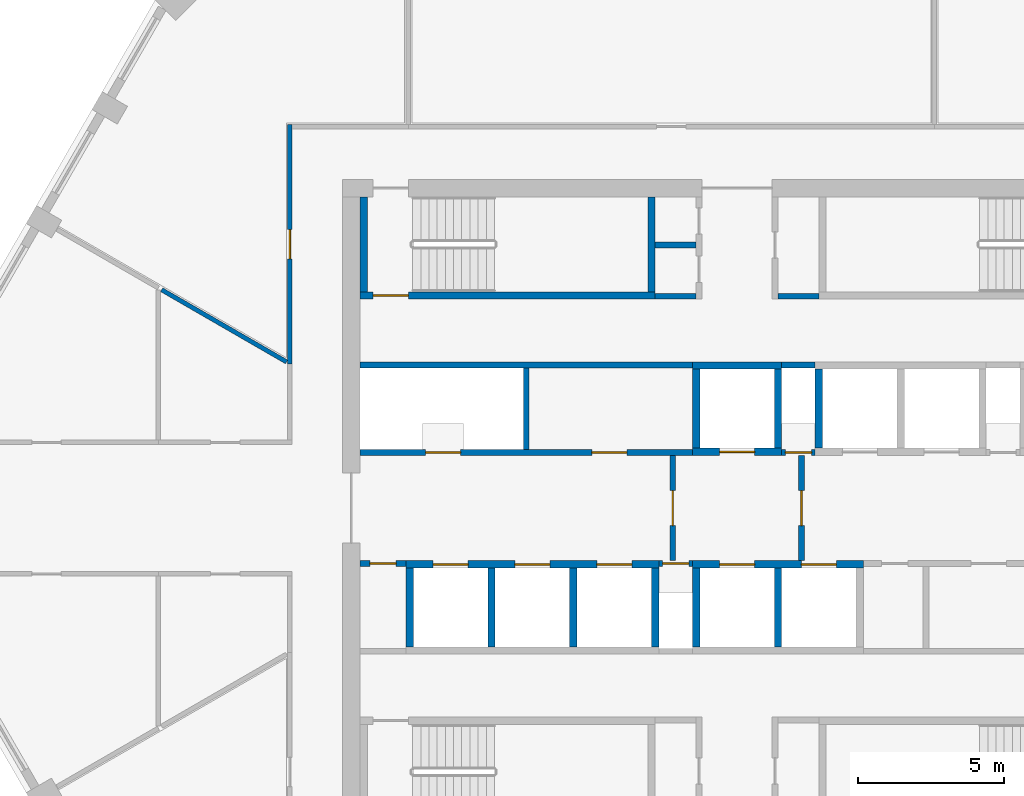
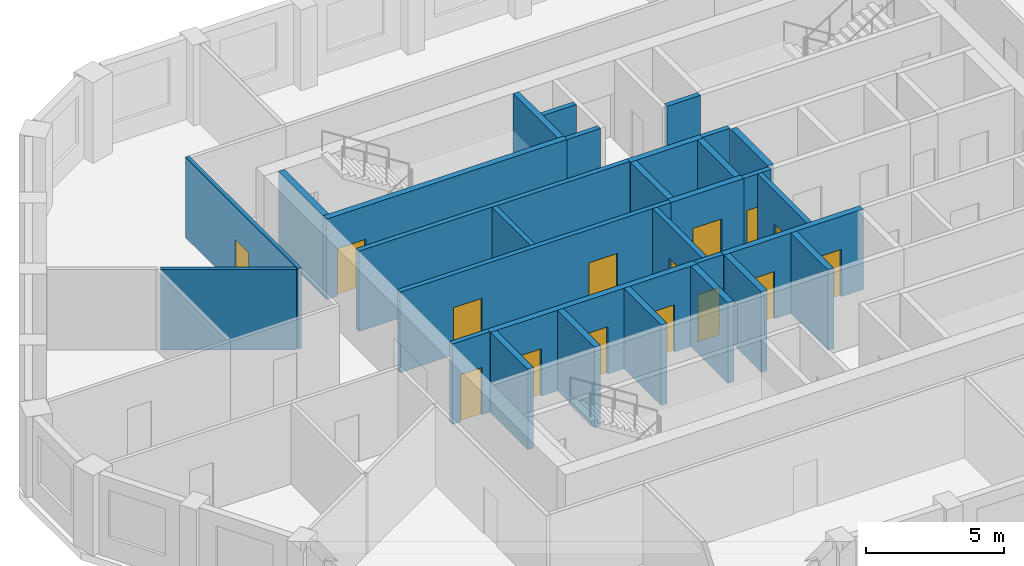
# One storey, part 3 of 11: 30 walls, 15 doors, 15 openings.
"""IFC4 building model written with IfcOpenShell, lengths in metres."""

from ifc_helpers import new_model, si_unit, direction, frame, frame_2d, origin, place, context, subcontext, project, spatial, polyline, rectangle, outline, extrude, material, layer, layer_set, type_object, element, fill, save


model = new_model("IFC4")

# Units and contexts
model_context = context("Model", 3, precision=1e-05, world=origin(), true_north=direction((0.0, 1.0)))
body_context = subcontext(model_context, "Body", "Model", "MODEL_VIEW")
ifc_project = project(units=[si_unit("LENGTHUNIT", "METRE"), si_unit("AREAUNIT", "SQUARE_METRE"), si_unit("VOLUMEUNIT", "CUBIC_METRE"), si_unit("PLANEANGLEUNIT", "RADIAN"), si_unit("MASSUNIT", "GRAM", prefix="KILO")], contexts=[model_context])

# Site, building, storey
site_placement = place(None, origin())
site = spatial("IfcSite", under=ifc_project, at=site_placement, CompositionType="ELEMENT")
building_placement = place(site_placement, origin())
building = spatial("IfcBuilding", under=site, at=building_placement, Name="Dhurran Vertical Campus", CompositionType="ELEMENT")
storey_placement = place(building_placement, frame((0.0, 0.0, 274.199951171875)))
storey = spatial("IfcBuildingStorey", under=building, at=storey_placement, Name="L68", CompositionType="ELEMENT", Elevation=274.199951171875)

# Wall, opening, door
ifc_material_1 = material(Name="Fire-rated masonry blockwork", Category="masonry")
ifc_layer_1 = layer(ifc_material_1, 0.199951171875)
ifc_layer_set_1 = layer_set([ifc_layer_1], Name="Fire-rated masonry blockwork")
wall_type_1 = type_object("IfcWallType", Name="co-FIRE-PARTITION-200", PredefinedType="PARTITIONING", material=ifc_layer_set_1)
wall_1_placement = place(storey_placement, frame((-2.199951171875, -1.800048828125, 0.0), z_axis=(0.0, 0.0, 1.0), x_axis=(0.0, 1.0, 0.0)))
wall_1 = element("IfcWall", 1, at=wall_1_placement, inside=storey, type_object=wall_type_1, Name="Firefighting lobby wall W L68", PredefinedType="PARTITIONING", context=body_context, shape_type="SweptSolid", body=[
    extrude(rectangle(XDim=3.60009765625, YDim=0.199951171875, at=frame_2d((1.800048828125, 0.0))), origin(), (0.0, 0.0, 1.0), 3.574951171875),
])
opening_1_placement = place(wall_1_placement, frame((1.199951171875, 0.0, 0.0)))
opening_1 = element("IfcOpeningElement", 2, at=opening_1_placement, cuts=wall_1, Name="Opening FL1", PredefinedType="OPENING", context=body_context, shape_type="SweptSolid", body=[
    extrude(rectangle(XDim=1.199951171875, YDim=2.10009765625, at=frame_2d((0.60009765625, 1.050048828125))), frame((0.0, 0.10986328125, 0.0), z_axis=(0.0, -1.0, 0.0), x_axis=(1.0, 0.0, 0.0)), (0.0, 0.0, 1.0), 0.219970703125),
])
ifc_material_2 = material(Name="Fire-rated steel door set", Category="steel")
door_type_1 = type_object("IfcDoorType", Name="co-D-FFLOBBY 1200x2100", OperationType="SINGLE_SWING_LEFT", PredefinedType="DOOR", material=ifc_material_2)
door_1_placement = place(opening_1_placement, origin())
door_1 = element("IfcDoor", 3, at=door_1_placement, inside=storey, type_object=door_type_1, Name="Firefighting lobby door W L68", OperationType="SINGLE_SWING_LEFT", OverallHeight=2.10009765625, OverallWidth=1.199951171875, PredefinedType="DOOR", context=body_context, shape_type="SweptSolid", body=[
    extrude(rectangle(XDim=1.199951171875, YDim=2.10009765625, at=frame_2d((0.60009765625, 1.050048828125))), frame((0.0, 0.02490234375, 0.0), z_axis=(0.0, -1.0, 0.0), x_axis=(1.0, 0.0, 0.0)), (0.0, 0.0, 1.0), 0.050048828125),
])
fill(opening_1, door_1)

wall_2_placement = place(storey_placement, frame((2.199951171875, -1.800048828125, 0.0), z_axis=(0.0, 0.0, 1.0), x_axis=(0.0, 1.0, 0.0)))
wall_2 = element("IfcWall", 4, at=wall_2_placement, inside=storey, type_object=wall_type_1, Name="Firefighting lobby wall E L68", PredefinedType="PARTITIONING", context=body_context, shape_type="SweptSolid", body=[
    extrude(rectangle(XDim=3.60009765625, YDim=0.199951171875, at=frame_2d((1.800048828125, 0.0))), origin(), (0.0, 0.0, 1.0), 3.574951171875),
])
opening_2_placement = place(wall_2_placement, frame((1.199951171875, 0.0, 0.0)))
opening_2 = element("IfcOpeningElement", 5, at=opening_2_placement, cuts=wall_2, Name="Opening FL2", PredefinedType="OPENING", context=body_context, shape_type="SweptSolid", body=[
    extrude(rectangle(XDim=1.199951171875, YDim=2.10009765625, at=frame_2d((0.60009765625, 1.050048828125))), frame((0.0, 0.10986328125, 0.0), z_axis=(0.0, -1.0, 0.0), x_axis=(1.0, 0.0, 0.0)), (0.0, 0.0, 1.0), 0.219970703125),
])
door_2_placement = place(opening_2_placement, origin())
door_2 = element("IfcDoor", 6, at=door_2_placement, inside=storey, type_object=door_type_1, Name="Firefighting lobby door E L68", OperationType="SINGLE_SWING_LEFT", OverallHeight=2.10009765625, OverallWidth=1.199951171875, PredefinedType="DOOR", context=body_context, shape_type="SweptSolid", body=[
    extrude(rectangle(XDim=1.199951171875, YDim=2.10009765625, at=frame_2d((0.60009765625, 1.050048828125))), frame((0.0, 0.02490234375, 0.0), z_axis=(0.0, -1.0, 0.0), x_axis=(1.0, 0.0, 0.0)), (0.0, 0.0, 1.0), 0.050048828125),
])
fill(opening_2, door_2)

# Walls
for number, where, z_axis, x_axis, name in (
    (7, (-2.800048828125, 7.25, 0.0), (0.0, 0.0, 1.0), (1.0, 0.0, 0.0), "Core partition sl-NW-S L68"),
    (8, (-2.800048828125, 9.0, 0.0), (0.0, 0.0, 1.0), (1.0, 0.0, 0.0), "Core partition sl-NW-cut0 L68"),
    (9, (1.39990234375, 7.25, 0.0), (0.0, 0.0, 1.0), (1.0, 0.0, 0.0), "Core partition sl-NE-S L68"),
):
    element("IfcWall", number, at=place(storey_placement, frame(where, z_axis=z_axis, x_axis=x_axis)), inside=storey, type_object=wall_type_1, Name=name, PredefinedType="PARTITIONING", context=body_context, shape_type="SweptSolid", body=[
        extrude(rectangle(XDim=1.400146484375, YDim=0.199951171875, at=frame_2d((0.7001953125, 0.0))), origin(), (0.0, 0.0, 1.0), 3.574951171875),
    ])
wall_3_placement = place(storey_placement, frame((-7.21240234375, 2.0, 0.0), z_axis=(0.0, 0.0, 1.0), x_axis=(0.0, 1.0, 0.0)))
element("IfcWall", 10, at=wall_3_placement, inside=storey, type_object=wall_type_1, Name="Core partition fr-N0-cut0 L68", PredefinedType="PARTITIONING", context=body_context, shape_type="SweptSolid", body=[
    extrude(rectangle(XDim=2.800048828125, YDim=0.199951171875, at=frame_2d((1.39990234375, 0.0))), origin(), (0.0, 0.0, 1.0), 3.574951171875),
])

# Wall, openings, doors
wall_4_placement = place(storey_placement, frame((-12.89990234375, 1.89990234375, 0.0), z_axis=(0.0, 0.0, 1.0), x_axis=(1.0, 0.0, 0.0)))
wall_4 = element("IfcWall", 11, at=wall_4_placement, inside=storey, type_object=wall_type_1, Name="Core partition fr-N0-f L68", PredefinedType="PARTITIONING", context=body_context, shape_type="SweptSolid", body=[
    extrude(rectangle(XDim=11.375, YDim=0.199951171875, at=frame_2d((5.6875, 0.0))), origin(), (0.0, 0.0, 1.0), 3.574951171875),
])
opening_3_placement = place(wall_4_placement, frame((2.243896484375, 0.0, 0.0)))
opening_3 = element("IfcOpeningElement", 12, at=opening_3_placement, cuts=wall_4, Name="Opening T20-C6", PredefinedType="OPENING", context=body_context, shape_type="SweptSolid", body=[
    extrude(rectangle(XDim=1.199951171875, YDim=2.10009765625, at=frame_2d((0.60009765625, 1.050048828125))), frame((0.0, 0.10986328125, 0.0), z_axis=(0.0, -1.0, 0.0), x_axis=(1.0, 0.0, 0.0)), (0.0, 0.0, 1.0), 0.219970703125),
])
opening_4_placement = place(wall_4_placement, frame((7.931396484375, 0.0, 0.0)))
opening_4 = element("IfcOpeningElement", 13, at=opening_4_placement, cuts=wall_4, Name="Opening T20-C7", PredefinedType="OPENING", context=body_context, shape_type="SweptSolid", body=[
    extrude(rectangle(XDim=1.199951171875, YDim=2.10009765625, at=frame_2d((0.60009765625, 1.050048828125))), frame((0.0, 0.10986328125, 0.0), z_axis=(0.0, -1.0, 0.0), x_axis=(1.0, 0.0, 0.0)), (0.0, 0.0, 1.0), 0.219970703125),
])
ifc_material_3 = material(Name="Fire-rated steel door set", Category="steel")
door_type_2 = type_object("IfcDoorType", Name="co-D-ROOM-PASSAGE 1200x2100", OperationType="SINGLE_SWING_RIGHT", PredefinedType="DOOR", material=ifc_material_3)
door_3_placement = place(opening_3_placement, origin())
door_3 = element("IfcDoor", 14, at=door_3_placement, inside=storey, type_object=door_type_2, Name="Electrical riser door L68", OperationType="SINGLE_SWING_RIGHT", OverallHeight=2.10009765625, OverallWidth=1.199951171875, PredefinedType="DOOR", context=body_context, shape_type="SweptSolid", body=[
    extrude(rectangle(XDim=1.199951171875, YDim=2.10009765625, at=frame_2d((0.60009765625, 1.050048828125))), frame((0.0, 0.02490234375, 0.0), z_axis=(0.0, -1.0, 0.0), x_axis=(1.0, 0.0, 0.0)), (0.0, 0.0, 1.0), 0.050048828125),
])
fill(opening_3, door_3)
door_4_placement = place(opening_4_placement, origin())
door_4 = element("IfcDoor", 15, at=door_4_placement, inside=storey, type_object=door_type_2, Name="Pantry door L68", OperationType="SINGLE_SWING_RIGHT", OverallHeight=2.10009765625, OverallWidth=1.199951171875, PredefinedType="DOOR", context=body_context, shape_type="SweptSolid", body=[
    extrude(rectangle(XDim=1.199951171875, YDim=2.10009765625, at=frame_2d((0.60009765625, 1.050048828125))), frame((0.0, 0.02490234375, 0.0), z_axis=(0.0, -1.0, 0.0), x_axis=(1.0, 0.0, 0.0)), (0.0, 0.0, 1.0), 0.050048828125),
])
fill(opening_4, door_4)

# Wall
wall_5_placement = place(storey_placement, frame((-12.89990234375, 4.89990234375, 0.0), z_axis=(0.0, 0.0, 1.0), x_axis=(1.0, 0.0, 0.0)))
element("IfcWall", 16, at=wall_5_placement, inside=storey, type_object=wall_type_1, Name="Core partition fr-N0-b L68", PredefinedType="PARTITIONING", context=body_context, shape_type="SweptSolid", body=[
    extrude(rectangle(XDim=11.375, YDim=0.199951171875, at=frame_2d((5.6875, 0.0))), origin(), (0.0, 0.0, 1.0), 3.574951171875),
])

# Wall, opening, door
wall_6_placement = place(storey_placement, frame((1.52490234375, 1.89990234375, 0.0), z_axis=(0.0, 0.0, 1.0), x_axis=(1.0, 0.0, 0.0)))
wall_6 = element("IfcWall", 17, at=wall_6_placement, inside=storey, type_object=wall_type_1, Name="Core partition fr-N1-f L68", PredefinedType="PARTITIONING", context=body_context, shape_type="SweptSolid", body=[
    extrude(rectangle(XDim=1.150146484375, YDim=0.199951171875, at=frame_2d((0.5751953125, 0.0))), origin(), (0.0, 0.0, 1.0), 3.574951171875),
])
opening_5_placement = place(wall_6_placement, frame((0.125, 0.0, 0.0)))
opening_5 = element("IfcOpeningElement", 18, at=opening_5_placement, cuts=wall_6, Name="Opening T20-C8", PredefinedType="OPENING", context=body_context, shape_type="SweptSolid", body=[
    extrude(rectangle(XDim=0.89990234375, YDim=2.10009765625, at=frame_2d((0.449951171875, 1.050048828125))), frame((0.0, 0.10986328125, 0.0), z_axis=(0.0, -1.0, 0.0), x_axis=(1.0, 0.0, 0.0)), (0.0, 0.0, 1.0), 0.219970703125),
])
ifc_material_4 = material(Name="Fire-rated timber door set", Category="wood")
door_type_3 = type_object("IfcDoorType", Name="co-D-ROOM 900x2100", OperationType="SINGLE_SWING_LEFT", PredefinedType="DOOR", material=ifc_material_4)
door_5_placement = place(opening_5_placement, origin())
door_5 = element("IfcDoor", 19, at=door_5_placement, inside=storey, type_object=door_type_3, Name="Water riser door L68", OperationType="SINGLE_SWING_LEFT", OverallHeight=2.10009765625, OverallWidth=0.89990234375, PredefinedType="DOOR", context=body_context, shape_type="SweptSolid", body=[
    extrude(rectangle(XDim=0.89990234375, YDim=2.10009765625, at=frame_2d((0.449951171875, 1.050048828125))), frame((0.0, 0.02490234375, 0.0), z_axis=(0.0, -1.0, 0.0), x_axis=(1.0, 0.0, 0.0)), (0.0, 0.0, 1.0), 0.050048828125),
])
fill(opening_5, door_5)

# Wall
wall_7_placement = place(storey_placement, frame((1.52490234375, 4.89990234375, 0.0), z_axis=(0.0, 0.0, 1.0), x_axis=(1.0, 0.0, 0.0)))
element("IfcWall", 20, at=wall_7_placement, inside=storey, type_object=wall_type_1, Name="Core partition fr-N1-b L68", PredefinedType="PARTITIONING", context=body_context, shape_type="SweptSolid", body=[
    extrude(rectangle(XDim=1.150146484375, YDim=0.199951171875, at=frame_2d((0.5751953125, 0.0))), origin(), (0.0, 0.0, 1.0), 3.574951171875),
])

# Wall, opening, door
wall_8_placement = place(storey_placement, frame((-12.89990234375, -1.89990234375, 0.0), z_axis=(0.0, 0.0, 1.0), x_axis=(1.0, 0.0, 0.0)))
wall_8 = element("IfcWall", 21, at=wall_8_placement, inside=storey, type_object=wall_type_1, Name="Core partition fr-S0-f L68", PredefinedType="PARTITIONING", context=body_context, shape_type="SweptSolid", body=[
    extrude(rectangle(XDim=1.574951171875, YDim=0.199951171875, at=frame_2d((0.78759765625, 0.0))), origin(), (0.0, 0.0, 1.0), 3.574951171875),
])
opening_6_placement = place(wall_8_placement, frame((0.33740234375, 0.0, 0.0)))
opening_6 = element("IfcOpeningElement", 22, at=opening_6_placement, cuts=wall_8, Name="Opening T20-C10", PredefinedType="OPENING", context=body_context, shape_type="SweptSolid", body=[
    extrude(rectangle(XDim=0.89990234375, YDim=2.10009765625, at=frame_2d((0.449951171875, 1.050048828125))), frame((0.0, 0.10986328125, 0.0), z_axis=(0.0, -1.0, 0.0), x_axis=(1.0, 0.0, 0.0)), (0.0, 0.0, 1.0), 0.219970703125),
])
door_6_placement = place(opening_6_placement, origin())
door_6 = element("IfcDoor", 23, at=door_6_placement, inside=storey, type_object=door_type_3, Name="Cleaner's store door L68", OperationType="SINGLE_SWING_LEFT", OverallHeight=2.10009765625, OverallWidth=0.89990234375, PredefinedType="DOOR", context=body_context, shape_type="SweptSolid", body=[
    extrude(rectangle(XDim=0.89990234375, YDim=2.10009765625, at=frame_2d((0.449951171875, 1.050048828125))), frame((0.0, 0.02490234375, 0.0), z_axis=(0.0, -1.0, 0.0), x_axis=(1.0, 0.0, 0.0)), (0.0, 0.0, 1.0), 0.050048828125),
])
fill(opening_6, door_6)

wall_9_placement = place(storey_placement, frame((-2.675048828125, -1.89990234375, 0.0), z_axis=(0.0, 0.0, 1.0), x_axis=(1.0, 0.0, 0.0)))
wall_9 = element("IfcWall", 24, at=wall_9_placement, inside=storey, type_object=wall_type_1, Name="Core partition fr-S1-f L68", PredefinedType="PARTITIONING", context=body_context, shape_type="SweptSolid", body=[
    extrude(rectangle(XDim=1.150146484375, YDim=0.199951171875, at=frame_2d((0.5751953125, 0.0))), origin(), (0.0, 0.0, 1.0), 3.574951171875),
])
opening_7_placement = place(wall_9_placement, frame((0.125, 0.0, 0.0)))
opening_7 = element("IfcOpeningElement", 25, at=opening_7_placement, cuts=wall_9, Name="Opening T20-C11", PredefinedType="OPENING", context=body_context, shape_type="SweptSolid", body=[
    extrude(rectangle(XDim=0.89990234375, YDim=2.10009765625, at=frame_2d((0.449951171875, 1.050048828125))), frame((0.0, 0.10986328125, 0.0), z_axis=(0.0, -1.0, 0.0), x_axis=(1.0, 0.0, 0.0)), (0.0, 0.0, 1.0), 0.219970703125),
])
door_7_placement = place(opening_7_placement, origin())
door_7 = element("IfcDoor", 26, at=door_7_placement, inside=storey, type_object=door_type_3, Name="Communications riser door L68", OperationType="SINGLE_SWING_LEFT", OverallHeight=2.10009765625, OverallWidth=0.89990234375, PredefinedType="DOOR", context=body_context, shape_type="SweptSolid", body=[
    extrude(rectangle(XDim=0.89990234375, YDim=2.10009765625, at=frame_2d((0.449951171875, 1.050048828125))), frame((0.0, 0.02490234375, 0.0), z_axis=(0.0, -1.0, 0.0), x_axis=(1.0, 0.0, 0.0)), (0.0, 0.0, 1.0), 0.050048828125),
])
fill(opening_7, door_7)

ifc_material_5 = material(Name="Concrete C50/60", Category="concrete")
ifc_layer_2 = layer(ifc_material_5, 0.25)
ifc_layer_set_2 = layer_set([ifc_layer_2], Name="Concrete C50/60")
wall_type_2 = type_object("IfcWallType", Name="co-SHAFT-FRONT-250", PredefinedType="SHEAR", material=ifc_layer_set_2)
wall_10_placement = place(storey_placement, frame((-1.52490234375, 1.925048828125, 0.0), z_axis=(0.0, 0.0, 1.0), x_axis=(1.0, 0.0, 0.0)))
wall_10 = element("IfcWall", 27, at=wall_10_placement, inside=storey, type_object=wall_type_2, Name="Lift landing wall N L68", PredefinedType="SHEAR", context=body_context, shape_type="SweptSolid", body=[
    extrude(rectangle(XDim=3.0498046875, YDim=0.25, at=frame_2d((1.52490234375, 0.0))), origin(), (0.0, 0.0, 1.0), 3.574951171875),
])
opening_8_placement = place(wall_10_placement, frame((0.925048828125, 0.0, 0.0)))
opening_8 = element("IfcOpeningElement", 28, at=opening_8_placement, cuts=wall_10, Name="Opening LD", PredefinedType="OPENING", context=body_context, shape_type="SweptSolid", body=[
    extrude(rectangle(XDim=1.199951171875, YDim=2.10009765625, at=frame_2d((0.60009765625, 1.050048828125))), frame((0.0, 0.135009765625, 0.0), z_axis=(0.0, -1.0, 0.0), x_axis=(1.0, 0.0, 0.0)), (0.0, 0.0, 1.0), 0.27001953125),
])
ifc_material_6 = material(Name="Stainless steel landing door", Category="steel")
door_type_4 = type_object("IfcDoorType", Name="co-D-LANDING 1200x2100", OperationType="DOUBLE_DOOR_SLIDING", PredefinedType="DOOR", material=ifc_material_6)
door_8_placement = place(opening_8_placement, origin())
door_8 = element("IfcDoor", 29, at=door_8_placement, inside=storey, type_object=door_type_4, Name="Landing door FF1 L68", OperationType="DOUBLE_DOOR_SLIDING", OverallHeight=2.10009765625, OverallWidth=1.199951171875, PredefinedType="DOOR", context=body_context, shape_type="SweptSolid", body=[
    extrude(rectangle(XDim=1.199951171875, YDim=2.10009765625, at=frame_2d((0.60009765625, 1.050048828125))), frame((0.0, 0.02490234375, 0.0), z_axis=(0.0, -1.0, 0.0), x_axis=(1.0, 0.0, 0.0)), (0.0, 0.0, 1.0), 0.050048828125),
])
fill(opening_8, door_8)

# Wall, openings, doors
wall_11_placement = place(storey_placement, frame((-11.324951171875, -1.925048828125, 0.0), z_axis=(0.0, 0.0, 1.0), x_axis=(1.0, 0.0, 0.0)))
wall_11 = element("IfcWall", 30, at=wall_11_placement, inside=storey, type_object=wall_type_2, Name="Lift landing wall S L68", PredefinedType="SHEAR", context=body_context, shape_type="SweptSolid", body=[
    extrude(rectangle(XDim=8.64990234375, YDim=0.25, at=frame_2d((4.324951171875, 0.0))), origin(), (0.0, 0.0, 1.0), 3.574951171875),
])
opening_9_placement = place(wall_11_placement, frame((0.925048828125, 0.0, 0.0)))
opening_9 = element("IfcOpeningElement", 31, at=opening_9_placement, cuts=wall_11, Name="Opening LD", PredefinedType="OPENING", context=body_context, shape_type="SweptSolid", body=[
    extrude(rectangle(XDim=1.199951171875, YDim=2.10009765625, at=frame_2d((0.60009765625, 1.050048828125))), frame((0.0, 0.135009765625, 0.0), z_axis=(0.0, -1.0, 0.0), x_axis=(1.0, 0.0, 0.0)), (0.0, 0.0, 1.0), 0.27001953125),
])
opening_10_placement = place(wall_11_placement, frame((3.72509765625, 0.0, 0.0)))
opening_10 = element("IfcOpeningElement", 32, at=opening_10_placement, cuts=wall_11, Name="Opening LD", PredefinedType="OPENING", context=body_context, shape_type="SweptSolid", body=[
    extrude(rectangle(XDim=1.199951171875, YDim=2.10009765625, at=frame_2d((0.60009765625, 1.050048828125))), frame((0.0, 0.135009765625, 0.0), z_axis=(0.0, -1.0, 0.0), x_axis=(1.0, 0.0, 0.0)), (0.0, 0.0, 1.0), 0.27001953125),
])
opening_11_placement = place(wall_11_placement, frame((6.52490234375, 0.0, 0.0)))
opening_11 = element("IfcOpeningElement", 33, at=opening_11_placement, cuts=wall_11, Name="Opening LD", PredefinedType="OPENING", context=body_context, shape_type="SweptSolid", body=[
    extrude(rectangle(XDim=1.199951171875, YDim=2.10009765625, at=frame_2d((0.60009765625, 1.050048828125))), frame((0.0, 0.135009765625, 0.0), z_axis=(0.0, -1.0, 0.0), x_axis=(1.0, 0.0, 0.0)), (0.0, 0.0, 1.0), 0.27001953125),
])
door_9_placement = place(opening_9_placement, origin())
door_9 = element("IfcDoor", 34, at=door_9_placement, inside=storey, type_object=door_type_4, Name="Landing door HR3 L68", OperationType="DOUBLE_DOOR_SLIDING", OverallHeight=2.10009765625, OverallWidth=1.199951171875, PredefinedType="DOOR", context=body_context, shape_type="SweptSolid", body=[
    extrude(rectangle(XDim=1.199951171875, YDim=2.10009765625, at=frame_2d((0.60009765625, 1.050048828125))), frame((0.0, 0.02490234375, 0.0), z_axis=(0.0, -1.0, 0.0), x_axis=(1.0, 0.0, 0.0)), (0.0, 0.0, 1.0), 0.050048828125),
])
fill(opening_9, door_9)
door_10_placement = place(opening_10_placement, origin())
door_10 = element("IfcDoor", 35, at=door_10_placement, inside=storey, type_object=door_type_4, Name="Landing door HR4 L68", OperationType="DOUBLE_DOOR_SLIDING", OverallHeight=2.10009765625, OverallWidth=1.199951171875, PredefinedType="DOOR", context=body_context, shape_type="SweptSolid", body=[
    extrude(rectangle(XDim=1.199951171875, YDim=2.10009765625, at=frame_2d((0.60009765625, 1.050048828125))), frame((0.0, 0.02490234375, 0.0), z_axis=(0.0, -1.0, 0.0), x_axis=(1.0, 0.0, 0.0)), (0.0, 0.0, 1.0), 0.050048828125),
])
fill(opening_10, door_10)
door_11_placement = place(opening_11_placement, origin())
door_11 = element("IfcDoor", 36, at=door_11_placement, inside=storey, type_object=door_type_4, Name="Landing door HR5 L68", OperationType="DOUBLE_DOOR_SLIDING", OverallHeight=2.10009765625, OverallWidth=1.199951171875, PredefinedType="DOOR", context=body_context, shape_type="SweptSolid", body=[
    extrude(rectangle(XDim=1.199951171875, YDim=2.10009765625, at=frame_2d((0.60009765625, 1.050048828125))), frame((0.0, 0.02490234375, 0.0), z_axis=(0.0, -1.0, 0.0), x_axis=(1.0, 0.0, 0.0)), (0.0, 0.0, 1.0), 0.050048828125),
])
fill(opening_11, door_11)

wall_12_placement = place(storey_placement, frame((-1.52490234375, -1.925048828125, 0.0), z_axis=(0.0, 0.0, 1.0), x_axis=(1.0, 0.0, 0.0)))
wall_12 = element("IfcWall", 37, at=wall_12_placement, inside=storey, type_object=wall_type_2, Name="Lift landing wall S L68", PredefinedType="SHEAR", context=body_context, shape_type="SweptSolid", body=[
    extrude(rectangle(XDim=5.849853515625, YDim=0.25, at=frame_2d((2.9248046875, 0.0))), origin(), (0.0, 0.0, 1.0), 3.574951171875),
])
opening_12_placement = place(wall_12_placement, frame((0.925048828125, 0.0, 0.0)))
opening_12 = element("IfcOpeningElement", 38, at=opening_12_placement, cuts=wall_12, Name="Opening LD", PredefinedType="OPENING", context=body_context, shape_type="SweptSolid", body=[
    extrude(rectangle(XDim=1.199951171875, YDim=2.10009765625, at=frame_2d((0.60009765625, 1.050048828125))), frame((0.0, 0.135009765625, 0.0), z_axis=(0.0, -1.0, 0.0), x_axis=(1.0, 0.0, 0.0)), (0.0, 0.0, 1.0), 0.27001953125),
])
opening_13_placement = place(wall_12_placement, frame((3.72509765625, 0.0, 0.0)))
opening_13 = element("IfcOpeningElement", 39, at=opening_13_placement, cuts=wall_12, Name="Opening LD", PredefinedType="OPENING", context=body_context, shape_type="SweptSolid", body=[
    extrude(rectangle(XDim=1.199951171875, YDim=2.10009765625, at=frame_2d((0.60009765625, 1.050048828125))), frame((0.0, 0.135009765625, 0.0), z_axis=(0.0, -1.0, 0.0), x_axis=(1.0, 0.0, 0.0)), (0.0, 0.0, 1.0), 0.27001953125),
])
door_12_placement = place(opening_12_placement, origin())
door_12 = element("IfcDoor", 40, at=door_12_placement, inside=storey, type_object=door_type_4, Name="Landing door FF2 L68", OperationType="DOUBLE_DOOR_SLIDING", OverallHeight=2.10009765625, OverallWidth=1.199951171875, PredefinedType="DOOR", context=body_context, shape_type="SweptSolid", body=[
    extrude(rectangle(XDim=1.199951171875, YDim=2.10009765625, at=frame_2d((0.60009765625, 1.050048828125))), frame((0.0, 0.02490234375, 0.0), z_axis=(0.0, -1.0, 0.0), x_axis=(1.0, 0.0, 0.0)), (0.0, 0.0, 1.0), 0.050048828125),
])
fill(opening_12, door_12)
door_13_placement = place(opening_13_placement, origin())
door_13 = element("IfcDoor", 41, at=door_13_placement, inside=storey, type_object=door_type_4, Name="Landing door SV1 L68", OperationType="DOUBLE_DOOR_SLIDING", OverallHeight=2.10009765625, OverallWidth=1.199951171875, PredefinedType="DOOR", context=body_context, shape_type="SweptSolid", body=[
    extrude(rectangle(XDim=1.199951171875, YDim=2.10009765625, at=frame_2d((0.60009765625, 1.050048828125))), frame((0.0, 0.02490234375, 0.0), z_axis=(0.0, -1.0, 0.0), x_axis=(1.0, 0.0, 0.0)), (0.0, 0.0, 1.0), 0.050048828125),
])
fill(opening_13, door_13)

# Walls
ifc_material_7 = material(Name="Concrete C50/60", Category="concrete")
ifc_layer_3 = layer(ifc_material_7, 0.25)
ifc_layer_set_3 = layer_set([ifc_layer_3], Name="Concrete C50/60")
wall_type_3 = type_object("IfcWallType", Name="co-SHAFT-MASS-250", PredefinedType="SHEAR", material=ifc_layer_set_3)
wall_13_placement = place(storey_placement, origin())
element("IfcWall", 42, at=wall_13_placement, inside=storey, type_object=wall_type_3, Name="Lift shaft wall N L68 1", PredefinedType="SHEAR", context=body_context, shape_type="SweptSolid", body=[
    extrude(outline(polyline([(-1.52490234375, 4.75), (1.52490234375, 4.75), (1.52490234375, 5.0), (-1.52490234375, 5.0), (-1.52490234375, 4.75)])), origin(), (0.0, 0.0, 1.0), 3.574951171875),
])
wall_14_placement = place(storey_placement, origin())
element("IfcWall", 43, at=wall_14_placement, inside=storey, type_object=wall_type_3, Name="Lift shaft wall N L68 4", PredefinedType="SHEAR", context=body_context, shape_type="SweptSolid", body=[
    extrude(outline(polyline([(-1.52490234375, 2.050048828125), (-1.27490234375, 2.050048828125), (-1.27490234375, 4.75), (-1.52490234375, 4.75), (-1.52490234375, 2.050048828125)])), origin(), (0.0, 0.0, 1.0), 3.574951171875),
])
wall_15_placement = place(storey_placement, origin())
element("IfcWall", 44, at=wall_15_placement, inside=storey, type_object=wall_type_3, Name="Lift shaft wall N L68 5", PredefinedType="SHEAR", context=body_context, shape_type="SweptSolid", body=[
    extrude(outline(polyline([(1.27490234375, 2.050048828125), (1.52490234375, 2.050048828125), (1.52490234375, 4.75), (1.27490234375, 4.75), (1.27490234375, 2.050048828125)])), origin(), (0.0, 0.0, 1.0), 3.574951171875),
])
wall_16_placement = place(storey_placement, origin())
element("IfcWall", 45, at=wall_16_placement, inside=storey, type_object=wall_type_3, Name="Lift shaft wall N L68 6", PredefinedType="SHEAR", context=body_context, shape_type="SweptSolid", body=[
    extrude(outline(polyline([(2.675048828125, 2.050048828125), (2.925048828125, 2.050048828125), (2.925048828125, 4.75), (2.675048828125, 4.75), (2.675048828125, 2.050048828125)])), origin(), (0.0, 0.0, 1.0), 3.574951171875),
])
wall_17_placement = place(storey_placement, origin())
element("IfcWall", 46, at=wall_17_placement, inside=storey, type_object=wall_type_3, Name="Lift shaft wall S L68 3", PredefinedType="SHEAR", context=body_context, shape_type="SweptSolid", body=[
    extrude(outline(polyline([(-11.324951171875, -4.75), (-11.074951171875, -4.75), (-11.074951171875, -2.050048828125), (-11.324951171875, -2.050048828125), (-11.324951171875, -4.75)])), origin(), (0.0, 0.0, 1.0), 3.574951171875),
])
wall_18_placement = place(storey_placement, origin())
element("IfcWall", 47, at=wall_18_placement, inside=storey, type_object=wall_type_3, Name="Lift shaft wall S L68 4", PredefinedType="SHEAR", context=body_context, shape_type="SweptSolid", body=[
    extrude(outline(polyline([(-8.52490234375, -4.75), (-8.27490234375, -4.75), (-8.27490234375, -2.050048828125), (-8.52490234375, -2.050048828125), (-8.52490234375, -4.75)])), origin(), (0.0, 0.0, 1.0), 3.574951171875),
])
wall_19_placement = place(storey_placement, origin())
element("IfcWall", 48, at=wall_19_placement, inside=storey, type_object=wall_type_3, Name="Lift shaft wall S L68 5", PredefinedType="SHEAR", context=body_context, shape_type="SweptSolid", body=[
    extrude(outline(polyline([(-5.72509765625, -4.75), (-5.47509765625, -4.75), (-5.47509765625, -2.050048828125), (-5.72509765625, -2.050048828125), (-5.72509765625, -4.75)])), origin(), (0.0, 0.0, 1.0), 3.574951171875),
])
wall_20_placement = place(storey_placement, origin())
element("IfcWall", 49, at=wall_20_placement, inside=storey, type_object=wall_type_3, Name="Lift shaft wall S L68 6", PredefinedType="SHEAR", context=body_context, shape_type="SweptSolid", body=[
    extrude(outline(polyline([(-2.925048828125, -4.75), (-2.675048828125, -4.75), (-2.675048828125, -2.050048828125), (-2.925048828125, -2.050048828125), (-2.925048828125, -4.75)])), origin(), (0.0, 0.0, 1.0), 3.574951171875),
])
wall_21_placement = place(storey_placement, origin())
element("IfcWall", 50, at=wall_21_placement, inside=storey, type_object=wall_type_3, Name="Lift shaft wall S L68 7", PredefinedType="SHEAR", context=body_context, shape_type="SweptSolid", body=[
    extrude(outline(polyline([(-1.52490234375, -4.75), (-1.27490234375, -4.75), (-1.27490234375, -2.050048828125), (-1.52490234375, -2.050048828125), (-1.52490234375, -4.75)])), origin(), (0.0, 0.0, 1.0), 3.574951171875),
])
wall_22_placement = place(storey_placement, origin())
element("IfcWall", 51, at=wall_22_placement, inside=storey, type_object=wall_type_3, Name="Lift shaft wall S L68 8", PredefinedType="SHEAR", context=body_context, shape_type="SweptSolid", body=[
    extrude(outline(polyline([(1.27490234375, -4.75), (1.52490234375, -4.75), (1.52490234375, -2.050048828125), (1.27490234375, -2.050048828125), (1.27490234375, -4.75)])), origin(), (0.0, 0.0, 1.0), 3.574951171875),
])

# Wall, opening, door
ifc_material_8 = material(Name="Concrete C40/50", Category="concrete")
ifc_layer_4 = layer(ifc_material_8, 0.25)
ifc_layer_set_4 = layer_set([ifc_layer_4], Name="Concrete C40/50")
wall_type_4 = type_object("IfcWallType", Name="co-STAIR-WALL-250", PredefinedType="SHEAR", material=ifc_layer_set_4)
wall_23_placement = place(storey_placement, frame((-12.89990234375, 7.27490234375, 0.0), z_axis=(0.0, 0.0, 1.0), x_axis=(1.0, 0.0, 0.0)))
wall_23 = element("IfcWall", 52, at=wall_23_placement, inside=storey, type_object=wall_type_4, Name="Stair ST1 enclosure wall L68", PredefinedType="SHEAR", context=body_context, shape_type="SweptSolid", body=[
    extrude(rectangle(XDim=10.099853515625, YDim=0.25, at=frame_2d((5.0498046875, 0.0))), origin(), (0.0, 0.0, 1.0), 3.574951171875),
])
opening_14_placement = place(wall_23_placement, frame((0.449951171875, 0.0, 0.0)))
opening_14 = element("IfcOpeningElement", 53, at=opening_14_placement, cuts=wall_23, Name="Opening SD1", PredefinedType="OPENING", context=body_context, shape_type="SweptSolid", body=[
    extrude(rectangle(XDim=1.199951171875, YDim=2.10009765625, at=frame_2d((0.60009765625, 1.050048828125))), frame((0.0, 0.135009765625, 0.0), z_axis=(0.0, -1.0, 0.0), x_axis=(1.0, 0.0, 0.0)), (0.0, 0.0, 1.0), 0.27001953125),
])
ifc_material_9 = material(Name="Fire-rated steel door set", Category="steel")
door_type_5 = type_object("IfcDoorType", Name="co-D-STAIR 1200x2100", OperationType="SINGLE_SWING_LEFT", PredefinedType="DOOR", material=ifc_material_9)
door_14_placement = place(opening_14_placement, origin())
door_14 = element("IfcDoor", 54, at=door_14_placement, inside=storey, type_object=door_type_5, Name="Stair ST1 door L68", OperationType="SINGLE_SWING_LEFT", OverallHeight=2.10009765625, OverallWidth=1.199951171875, PredefinedType="DOOR", context=body_context, shape_type="SweptSolid", body=[
    extrude(rectangle(XDim=1.199951171875, YDim=2.10009765625, at=frame_2d((0.60009765625, 1.050048828125))), frame((0.0, 0.02490234375, 0.0), z_axis=(0.0, -1.0, 0.0), x_axis=(1.0, 0.0, 0.0)), (0.0, 0.0, 1.0), 0.050048828125),
])
fill(opening_14, door_14)

# Walls
for number, where, z_axis, x_axis, name in (
    (55, (-12.77490234375, 7.39990234375, 0.0), (0.0, 0.0, 1.0), (0.0, 1.0, 0.0), "Stair ST1 enclosure wall L68"),
    (56, (-2.925048828125, 7.39990234375, 0.0), (0.0, 0.0, 1.0), (0.0, 1.0, 0.0), "Stair ST1 enclosure wall L68"),
):
    element("IfcWall", number, at=place(storey_placement, frame(where, z_axis=z_axis, x_axis=x_axis)), inside=storey, type_object=wall_type_4, Name=name, PredefinedType="SHEAR", context=body_context, shape_type="SweptSolid", body=[
        extrude(rectangle(XDim=3.25, YDim=0.25, at=frame_2d((1.625, 0.0))), origin(), (0.0, 0.0, 1.0), 3.574951171875),
    ])

# Wall, opening, door
ifc_material_10 = material(Name="Gypsum board corridor wall on steel studs", Category="steel")
ifc_layer_5 = layer(ifc_material_10, 0.14990234375)
ifc_layer_set_5 = layer_set([ifc_layer_5], Name="Gypsum board corridor wall on steel studs")
wall_type_5 = type_object("IfcWallType", Name="fl-CW-150 corridor wall", PredefinedType="PARTITIONING", material=ifc_layer_set_5)
wall_24_placement = place(storey_placement, frame((-15.300048828125, 13.125, 0.0), z_axis=(0.0, 0.0, 1.0), x_axis=(0.0, -1.0, 0.0)))
wall_24 = element("IfcWall", 57, at=wall_24_placement, inside=storey, type_object=wall_type_5, Name="Partition 68-15", PredefinedType="PARTITIONING", context=body_context, shape_type="SweptSolid", body=[
    extrude(rectangle(XDim=8.18896484375, YDim=0.14990234375, at=frame_2d((4.094482421875, 0.0))), origin(), (0.0, 0.0, 1.0), 3.574951171875),
])
opening_15_placement = place(wall_24_placement, frame((3.594482421875, 0.0, 0.0)))
opening_15 = element("IfcOpeningElement", 58, at=opening_15_placement, cuts=wall_24, Name="Opening T20.06", PredefinedType="OPENING", context=body_context, shape_type="SweptSolid", body=[
    extrude(rectangle(XDim=1.0, YDim=2.10009765625, at=frame_2d((0.5, 1.050048828125))), frame((0.0, 0.0849609375, 0.0), z_axis=(0.0, -1.0, 0.0), x_axis=(1.0, 0.0, 0.0)), (0.0, 0.0, 1.0), 0.169921875),
])
ifc_material_11 = material(Name="Solid-core timber door set, fire-rated", Category="wood")
door_type_6 = type_object("IfcDoorType", Name="fl-D-1000x2100", OperationType="SINGLE_SWING_LEFT", PredefinedType="DOOR", material=ifc_material_11)
door_15_placement = place(opening_15_placement, origin())
door_15 = element("IfcDoor", 59, at=door_15_placement, inside=storey, type_object=door_type_6, Name="Door 68.06", OperationType="SINGLE_SWING_RIGHT", OverallHeight=2.10009765625, OverallWidth=1.0, PredefinedType="DOOR", context=body_context, shape_type="SweptSolid", body=[
    extrude(rectangle(XDim=1.0, YDim=2.10009765625, at=frame_2d((0.5, 1.050048828125))), frame((0.0, 0.02490234375, 0.0), z_axis=(0.0, -1.0, 0.0), x_axis=(1.0, 0.0, 0.0)), (0.0, 0.0, 1.0), 0.050048828125),
])
fill(opening_15, door_15)

# Wall
ifc_material_12 = material(Name="Gypsum board partition on steel studs", Category="steel")
ifc_layer_6 = layer(ifc_material_12, 0.14990234375)
ifc_layer_set_6 = layer_set([ifc_layer_6], Name="Gypsum board partition on steel studs")
wall_type_6 = type_object("IfcWallType", Name="fl-PW-150 fixed partition", PredefinedType="PARTITIONING", material=ifc_layer_set_6)
wall_25_placement = place(storey_placement, frame((-19.6875, 7.468994140625, 0.0), z_axis=(0.0, 0.0, 1.0), x_axis=(0.866034039096, -0.499985042903, 0.0)))
element("IfcWall", 60, at=wall_25_placement, inside=storey, type_object=wall_type_6, Name="Partition 68-10", PredefinedType="PARTITIONING", context=body_context, shape_type="SweptSolid", body=[
    extrude(rectangle(XDim=4.936279296875, YDim=0.14990234375, at=frame_2d((2.46826171875, 0.0))), origin(), (0.0, 0.0, 1.0), 3.574951171875),
])

save(model, "model.ifc")
